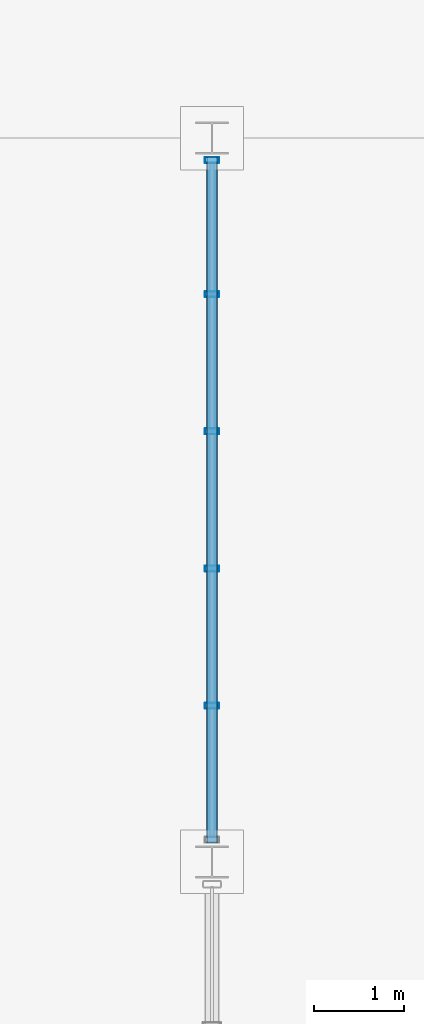
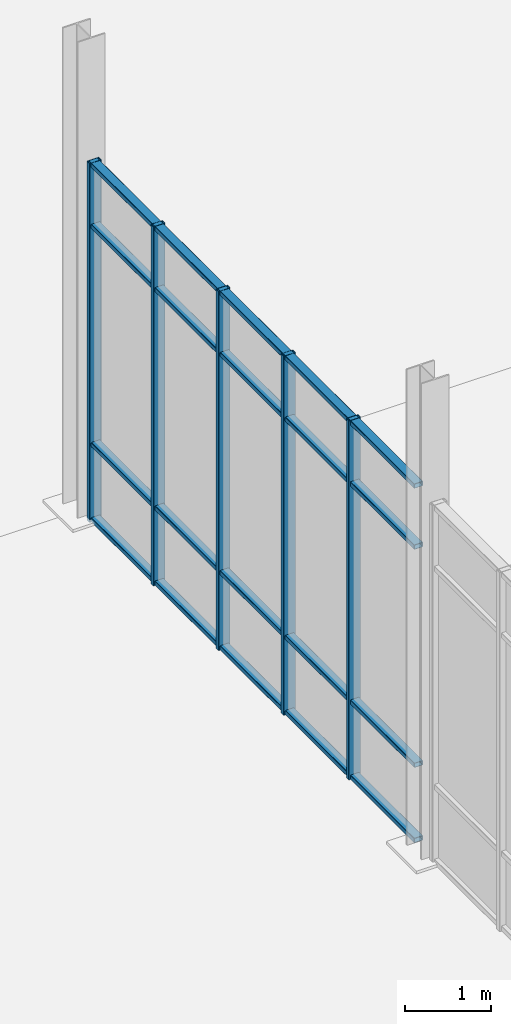
# One storey, part 58 of 140: 9 members, 1 element without a shape of its own.
"""IFC4 building model written with IfcOpenShell, lengths in metres."""

import ifcopenshell
import ifcopenshell.guid

model = None  # the IFC model being written
_history = None  # IfcOwnerHistory: only IFC2X3 demands one
_inside = {}  # id of a spatial element -> (the spatial element, [elements in it])
_under = {}  # id of a project, library or spatial element -> (it, [spatial elements below it])
_declared = {}  # id of a project -> (the project, [libraries it declares])
_typed = {}  # id of a type object -> (the type object, [elements of that type])
_made_of = {}  # id of a material, layer set ... -> (it, [elements and type objects made of it])


def new_model(schema):
    """Start an empty IFC model of exactly this schema.

    Asked for "IFC4X3", IfcOpenShell would pick the latest addendum, in which some entities
    have other attributes; the version numbers below select the first issue.
    IFC2X3 requires an IfcOwnerHistory on every rooted entity: one is made here for all.
    """
    global model, _history
    if schema == "IFC4X3":
        model = ifcopenshell.file(schema_version=(4, 3, 0, 0))
    else:
        model = ifcopenshell.file(schema=schema)
    _inside.clear()
    _under.clear()
    _declared.clear()
    _typed.clear()
    _made_of.clear()
    _history = None
    if model.schema == "IFC2X3":
        org = make("IfcOrganization", Name="unknown")
        user = make(
            "IfcPersonAndOrganization",
            ThePerson=make("IfcPerson", FamilyName="unknown"),
            TheOrganization=org,
        )
        app = make(
            "IfcApplication",
            ApplicationDeveloper=org,
            Version="unknown",
            ApplicationFullName="unknown",
            ApplicationIdentifier="unknown",
        )
        _history = make(
            "IfcOwnerHistory",
            OwningUser=user,
            OwningApplication=app,
            ChangeAction="ADDED",
            CreationDate=0,
        )
    return model


def make(cls, **values):
    """One entity of the class cls with the attributes given. An attribute that is None is left unset."""
    return model.create_entity(
        cls, **{name: value for name, value in values.items() if value is not None}
    )


def rooted(cls, **values):
    """An entity with a GlobalId (a new one), such as an element, a storey or a relation."""
    return make(cls, GlobalId=ifcopenshell.guid.new(), OwnerHistory=_history, **values)


def si_unit(unit_type, name, prefix=None):
    """IfcSIUnit, for example si_unit("LENGTHUNIT", "METRE", prefix="MILLI")."""
    return make("IfcSIUnit", UnitType=unit_type, Prefix=prefix, Name=name)


def assignment(units):
    """IfcUnitAssignment: the units of a project."""
    return None if units is None else make("IfcUnitAssignment", Units=units)


def point(xyz):
    """IfcCartesianPoint."""
    return None if xyz is None else make("IfcCartesianPoint", Coordinates=xyz)


def direction(xyz):
    """IfcDirection."""
    return None if xyz is None else make("IfcDirection", DirectionRatios=xyz)


def frame(location, z_axis=None, x_axis=None):
    """IfcAxis2Placement3D, a coordinate frame: its origin and axes. An axis left out is left unset."""
    return make(
        "IfcAxis2Placement3D",
        Location=point(location),
        Axis=direction(z_axis),
        RefDirection=direction(x_axis),
    )


def frame_2d(location, x_axis=None):
    """IfcAxis2Placement2D, a coordinate frame in the plane: its origin and x axis."""
    return make(
        "IfcAxis2Placement2D", Location=point(location), RefDirection=direction(x_axis)
    )


def origin():
    """The frame at (0, 0, 0) with its axes left unset."""
    return frame((0.0, 0.0, 0.0))


def origin_2d():
    """The frame at (0, 0) in the plane with its x axis left unset."""
    return frame_2d((0.0, 0.0))


def place(relative_to, where):
    """IfcLocalPlacement: puts the frame where relative to a parent placement (None: the world)."""
    return make(
        "IfcLocalPlacement", PlacementRelTo=relative_to, RelativePlacement=where
    )


def context(
    kind, dimensions, precision=None, world=None, true_north=None, identifier=None
):
    """IfcGeometricRepresentationContext, for example the 3D "Model" context."""
    return make(
        "IfcGeometricRepresentationContext",
        ContextIdentifier=identifier,
        ContextType=kind,
        CoordinateSpaceDimension=dimensions,
        Precision=precision,
        WorldCoordinateSystem=world,
        TrueNorth=true_north,
    )


def subcontext(parent, identifier, kind, view, scale=None):
    """IfcGeometricRepresentationSubContext, for example "Body" below "Model"."""
    return make(
        "IfcGeometricRepresentationSubContext",
        ContextIdentifier=identifier,
        ContextType=kind,
        ParentContext=parent,
        TargetScale=scale,
        TargetView=view,
    )


def project(units=None, contexts=None):
    """IfcProject with its units and contexts."""
    return rooted(
        "IfcProject",
        Name="project",
        RepresentationContexts=contexts,
        UnitsInContext=assignment(units),
    )


def spatial(cls, under=None, at=None, **own):
    """A site, building, storey or space (cls), placed at a placement, below another one or the project."""
    s = rooted(cls, ObjectPlacement=at, **own)
    if under is not None:
        _under.setdefault(under.id(), (under, []))[1].append(s)
    return s


def profile(cls, at=None, kind="AREA", **sizes):
    """A parametric profile (cls). Its sizes go by their IFC names, for example OverallWidth=200.0."""
    return make(cls, ProfileType=kind, Position=at, **sizes)


def hollow_rectangle(**sizes):
    """IfcRectangleHollowProfileDef."""
    return profile("IfcRectangleHollowProfileDef", **sizes)


def extrude(swept, where, along, depth):
    """IfcExtrudedAreaSolid: the profile swept, set in the frame where, extruded along a direction by depth."""
    return make(
        "IfcExtrudedAreaSolid",
        SweptArea=swept,
        Position=where,
        ExtrudedDirection=direction(along),
        Depth=depth,
    )


def shape(context_of_items, identifier, shape_type, items):
    """IfcShapeRepresentation: the items that make up one representation, for example the "Body"."""
    return make(
        "IfcShapeRepresentation",
        ContextOfItems=context_of_items,
        RepresentationIdentifier=identifier,
        RepresentationType=shape_type,
        Items=items,
    )


def material(Name=None, Category=None):
    """IfcMaterial."""
    return make("IfcMaterial", Name=Name, Category=Category)


def material_profile(
    of_material, cross_section, Name=None, Category=None, Priority=None
):
    """IfcMaterialProfile: a cross section and its material."""
    return make(
        "IfcMaterialProfile",
        Name=Name,
        Material=of_material,
        Profile=cross_section,
        Priority=Priority,
        Category=Category,
    )


def profile_set(profiles, Name=None, composite=None):
    """IfcMaterialProfileSet."""
    return make(
        "IfcMaterialProfileSet",
        Name=Name,
        MaterialProfiles=profiles,
        CompositeProfile=composite,
    )


def made_of(thing, what):
    """Note that an element or type object is made of a material, layer set ...; save() writes the relation."""
    if what is not None:
        _made_of.setdefault(what.id(), (what, []))[1].append(thing)
    return thing


def type_object(cls, material=None, **own):
    """A type object (cls), such as IfcWallType, which elements share."""
    return made_of(rooted(cls, **own), material)


def element(
    cls,
    number,
    at=None,
    inside=None,
    cuts=None,
    type_object=None,
    material=None,
    context=None,
    identifier="Body",
    shape_type=None,
    held_by="IfcProductDefinitionShape",
    body=None,
    shapes=None,
    **own,
):
    """One element of the class cls, such as IfcWall. Its Tag is "e" and its number.

    at: its placement. inside: the storey or other place that contains it. cuts: it is an
    opening in that element (IfcRelVoidsElement). A single representation is given by context,
    identifier, shape_type and body (its items); several are given by shapes. held_by: the class
    of the entity that holds the representations. save() writes the other relations.
    """
    e = rooted(cls, Tag="e%d" % number, ObjectPlacement=at, **own)
    if body is not None:
        shapes = [shape(context, identifier, shape_type, body)]
    if shapes is not None:
        e.Representation = make(held_by, Representations=shapes)
    if inside is not None:
        _inside.setdefault(inside.id(), (inside, []))[1].append(e)
    if cuts is not None:
        rooted(
            "IfcRelVoidsElement", RelatingBuildingElement=cuts, RelatedOpeningElement=e
        )
    if type_object is not None:
        _typed.setdefault(type_object.id(), (type_object, []))[1].append(e)
    return made_of(e, material)


def aggregate(whole, parts):
    """IfcRelAggregates: a whole, such as a stair, and the parts it consists of."""
    return rooted("IfcRelAggregates", RelatingObject=whole, RelatedObjects=parts)


def save(model, path):
    """Write the relations noted so far, then the file.

    IfcRelAggregates (storeys below a building ...), IfcRelContainedInSpatialStructure (elements
    in a storey), IfcRelDefinesByType, IfcRelAssociatesMaterial and IfcRelDeclares: one each for
    every whole, place, type object, material and project.
    """
    for whole, parts in _under.values():
        aggregate(whole, parts)
    for where, things in _inside.values():
        rooted(
            "IfcRelContainedInSpatialStructure",
            RelatedElements=things,
            RelatingStructure=where,
        )
    for kind, things in _typed.values():
        rooted("IfcRelDefinesByType", RelatedObjects=things, RelatingType=kind)
    for what, things in _made_of.values():
        rooted("IfcRelAssociatesMaterial", RelatedObjects=things, RelatingMaterial=what)
    for by, libraries in _declared.values():
        rooted("IfcRelDeclares", RelatingContext=by, RelatedDefinitions=libraries)
    model.write(path)


model = new_model("IFC4")

# Units and contexts
model_context = context("Model", 3, precision=1e-05, world=origin(), true_north=direction((0.0, 1.0)))
body_context = subcontext(model_context, "Body", "Model", "MODEL_VIEW")
ifc_project = project(units=[si_unit("LENGTHUNIT", "METRE"), si_unit("AREAUNIT", "SQUARE_METRE"), si_unit("VOLUMEUNIT", "CUBIC_METRE"), si_unit("PLANEANGLEUNIT", "RADIAN"), si_unit("MASSUNIT", "GRAM", prefix="KILO")], contexts=[model_context])

# Site, building, storey
site_placement = place(None, origin())
site = spatial("IfcSite", under=ifc_project, at=site_placement, CompositionType="ELEMENT")
building_placement = place(site_placement, origin())
building = spatial("IfcBuilding", under=site, at=building_placement, Name="Verrall Gate Interchange", CompositionType="ELEMENT")
storey_placement = place(building_placement, origin())
storey = spatial("IfcBuildingStorey", under=building, at=storey_placement, Name="L01", CompositionType="ELEMENT", Elevation=0.0)

# Curtain wall, members
ifc_material_1 = material(Name="Thermally Broken Anodized Aluminium Curtain Wall Framing", Category="aluminium")
curtain_wall_type = type_object("IfcCurtainWallType", Name="CW-06 Unitized Curtain Wall 7631x5100", PredefinedType="NOTDEFINED", material=ifc_material_1)
curtain_wall_placement = place(storey_placement, origin())
curtain_wall = element("IfcCurtainWall", 1, at=curtain_wall_placement, inside=storey, type_object=curtain_wall_type, Name="L01 Unitized Curtain Wall CW-L01-022", PredefinedType="NOTDEFINED")
ifc_material_2 = material(Name="Thermally Broken Anodized Aluminium Curtain Wall Framing", Category="aluminium")
ifc_material_profile_1 = material_profile(ifc_material_2, hollow_rectangle(XDim=0.06494140625, YDim=0.159912109375, WallThickness=0.00390625, InnerFilletRadius=0.00390625, OuterFilletRadius=0.008056640625, at=origin_2d()), Name="CWM160x65x4")
ifc_profile_set_1 = profile_set([ifc_material_profile_1], Name="Thermally Broken Anodized Aluminium Curtain Wall Framing")
member_type_1 = type_object("IfcMemberType", Name="CM-01 Curtain Mullion CWM160x65x4", PredefinedType="MULLION", material=ifc_profile_set_1)
member_1_placement = place(storey_placement, frame((44.0, 67.72607421875, 0.0), z_axis=(0.0, 0.0, 1.0), x_axis=(0.0, 1.0, 0.0)))
member_1 = element("IfcMember", 2, at=member_1_placement, type_object=member_type_1, Name="CW-L01-022 Mullion 2", PredefinedType="MULLION", context=body_context, shape_type="SweptSolid", body=[
    extrude(hollow_rectangle(XDim=0.06494140625, YDim=0.159912109375, WallThickness=0.00390625, InnerFilletRadius=0.00390625, OuterFilletRadius=0.008056640625, at=origin_2d()), origin(), (0.0, 0.0, 1.0), 5.10009765625),
])
member_2_placement = place(storey_placement, frame((44.0, 69.241943359375, 0.0), z_axis=(0.0, 0.0, 1.0), x_axis=(0.0, 1.0, 0.0)))
member_2 = element("IfcMember", 3, at=member_2_placement, type_object=member_type_1, Name="CW-L01-022 Mullion 3", PredefinedType="MULLION", context=body_context, shape_type="SweptSolid", body=[
    extrude(hollow_rectangle(XDim=0.06494140625, YDim=0.159912109375, WallThickness=0.00390625, InnerFilletRadius=0.00390625, OuterFilletRadius=0.008056640625, at=origin_2d()), origin(), (0.0, 0.0, 1.0), 5.10009765625),
])
member_3_placement = place(storey_placement, frame((44.0, 70.758056640625, 0.0), z_axis=(0.0, 0.0, 1.0), x_axis=(0.0, 1.0, 0.0)))
member_3 = element("IfcMember", 4, at=member_3_placement, type_object=member_type_1, Name="CW-L01-022 Mullion 4", PredefinedType="MULLION", context=body_context, shape_type="SweptSolid", body=[
    extrude(hollow_rectangle(XDim=0.06494140625, YDim=0.159912109375, WallThickness=0.00390625, InnerFilletRadius=0.00390625, OuterFilletRadius=0.008056640625, at=origin_2d()), origin(), (0.0, 0.0, 1.0), 5.10009765625),
])
member_4_placement = place(storey_placement, frame((44.0, 72.27392578125, 0.0), z_axis=(0.0, 0.0, 1.0), x_axis=(0.0, 1.0, 0.0)))
member_4 = element("IfcMember", 5, at=member_4_placement, type_object=member_type_1, Name="CW-L01-022 Mullion 5", PredefinedType="MULLION", context=body_context, shape_type="SweptSolid", body=[
    extrude(hollow_rectangle(XDim=0.06494140625, YDim=0.159912109375, WallThickness=0.00390625, InnerFilletRadius=0.00390625, OuterFilletRadius=0.008056640625, at=origin_2d()), origin(), (0.0, 0.0, 1.0), 5.10009765625),
])
member_5_placement = place(storey_placement, frame((44.0, 73.757568359375, 0.0), z_axis=(0.0, 0.0, 1.0), x_axis=(0.0, 1.0, 0.0)))
member_5 = element("IfcMember", 6, at=member_5_placement, type_object=member_type_1, Name="CW-L01-022 Mullion 6", PredefinedType="MULLION", context=body_context, shape_type="SweptSolid", body=[
    extrude(hollow_rectangle(XDim=0.06494140625, YDim=0.159912109375, WallThickness=0.00390625, InnerFilletRadius=0.00390625, OuterFilletRadius=0.008056640625, at=origin_2d()), origin(), (0.0, 0.0, 1.0), 5.10009765625),
])
ifc_material_3 = material(Name="Thermally Broken Anodized Aluminium Curtain Wall Framing", Category="aluminium")
ifc_material_profile_2 = material_profile(ifc_material_3, hollow_rectangle(XDim=0.1201171875, YDim=0.06494140625, WallThickness=0.00390625, InnerFilletRadius=0.00390625, OuterFilletRadius=0.008056640625, at=origin_2d()), Name="CWT120x65x4")
ifc_profile_set_2 = profile_set([ifc_material_profile_2], Name="Thermally Broken Anodized Aluminium Curtain Wall Framing")
member_type_2 = type_object("IfcMemberType", Name="CT-01 Curtain Transom CWT120x65x4", PredefinedType="USERDEFINED", material=ifc_profile_set_2)
member_6_placement = place(storey_placement, frame((44.0, 66.2099609375, 0.032470703125), z_axis=(0.0, 1.0, 0.0), x_axis=(-1.0, 0.0, 0.0)))
member_6 = element("IfcMember", 7, at=member_6_placement, type_object=member_type_2, Name="CW-L01-022 Transom 1", ObjectType="TRANSOM", PredefinedType="USERDEFINED", context=body_context, shape_type="SweptSolid", body=[
    extrude(hollow_rectangle(XDim=0.1201171875, YDim=0.06494140625, WallThickness=0.00390625, InnerFilletRadius=0.00390625, OuterFilletRadius=0.008056640625, at=origin_2d()), origin(), (0.0, 0.0, 1.0), 7.580078125),
])
member_7_placement = place(storey_placement, frame((44.0, 66.2099609375, 1.10009765625), z_axis=(0.0, 1.0, 0.0), x_axis=(-1.0, 0.0, 0.0)))
member_7 = element("IfcMember", 8, at=member_7_placement, type_object=member_type_2, Name="CW-L01-022 Transom 2", ObjectType="TRANSOM", PredefinedType="USERDEFINED", context=body_context, shape_type="SweptSolid", body=[
    extrude(hollow_rectangle(XDim=0.1201171875, YDim=0.06494140625, WallThickness=0.00390625, InnerFilletRadius=0.00390625, OuterFilletRadius=0.008056640625, at=origin_2d()), origin(), (0.0, 0.0, 1.0), 7.580078125),
])
member_8_placement = place(storey_placement, frame((44.0, 66.2099609375, 4.199951171875), z_axis=(0.0, 1.0, 0.0), x_axis=(-1.0, 0.0, 0.0)))
member_8 = element("IfcMember", 9, at=member_8_placement, type_object=member_type_2, Name="CW-L01-022 Transom 3", ObjectType="TRANSOM", PredefinedType="USERDEFINED", context=body_context, shape_type="SweptSolid", body=[
    extrude(hollow_rectangle(XDim=0.1201171875, YDim=0.06494140625, WallThickness=0.00390625, InnerFilletRadius=0.00390625, OuterFilletRadius=0.008056640625, at=origin_2d()), origin(), (0.0, 0.0, 1.0), 7.580078125),
])
member_9_placement = place(storey_placement, frame((44.0, 66.2099609375, 5.0673828125), z_axis=(0.0, 1.0, 0.0), x_axis=(-1.0, 0.0, 0.0)))
member_9 = element("IfcMember", 10, at=member_9_placement, type_object=member_type_2, Name="CW-L01-022 Transom 4", ObjectType="TRANSOM", PredefinedType="USERDEFINED", context=body_context, shape_type="SweptSolid", body=[
    extrude(hollow_rectangle(XDim=0.1201171875, YDim=0.06494140625, WallThickness=0.00390625, InnerFilletRadius=0.00390625, OuterFilletRadius=0.008056640625, at=origin_2d()), origin(), (0.0, 0.0, 1.0), 7.580078125),
])
aggregate(curtain_wall, [member_1, member_2, member_3, member_4, member_5, member_6, member_7, member_8, member_9])

save(model, "model.ifc")
